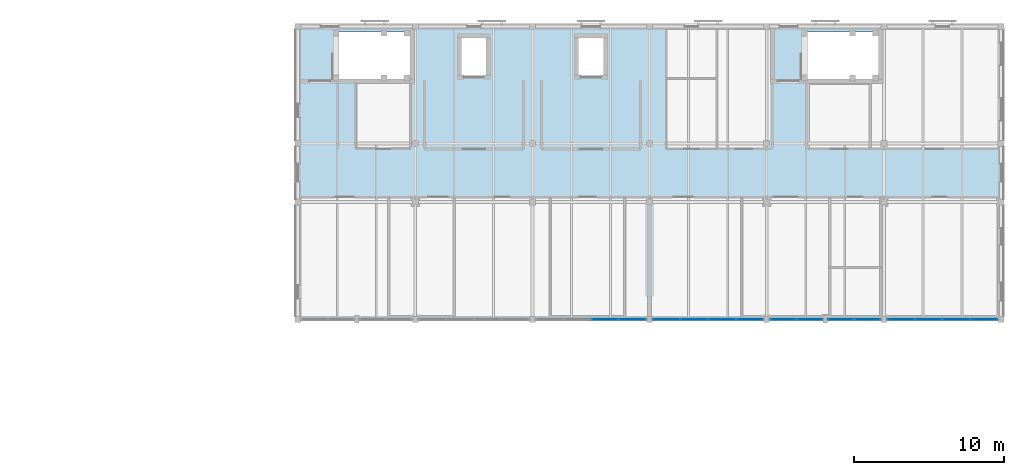
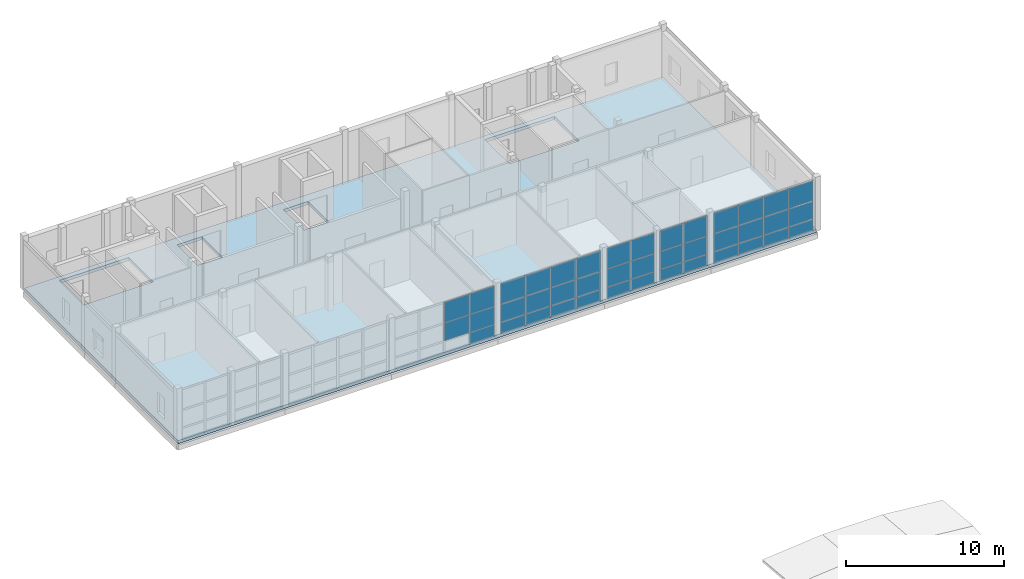
# One storey, part 10 of 21: 41 plates, 1 slab, 5 elements without a shape of their own.
"""IFC4 building model written with IfcOpenShell, lengths in metres."""

from ifc_helpers import new_model, si_unit, direction, frame, origin, origin_2d, place, context, subcontext, project, spatial, polyline, rectangle, outline, extrude, material, layer, layer_set, type_object, element, aggregate, save


model = new_model("IFC4")

# Units and contexts
model_context = context("Model", 3, precision=1e-05, world=origin(), true_north=direction((0.0, 1.0)))
body_context = subcontext(model_context, "Body", "Model", "MODEL_VIEW")
ifc_project = project(units=[si_unit("LENGTHUNIT", "METRE"), si_unit("AREAUNIT", "SQUARE_METRE"), si_unit("VOLUMEUNIT", "CUBIC_METRE"), si_unit("PLANEANGLEUNIT", "RADIAN"), si_unit("MASSUNIT", "GRAM", prefix="KILO")], contexts=[model_context])

# Site, building, storey
site_placement = place(None, origin())
site = spatial("IfcSite", under=ifc_project, at=site_placement, CompositionType="ELEMENT")
building_placement = place(site_placement, origin())
building = spatial("IfcBuilding", under=site, at=building_placement, Name="Celorna Specialist Clinic", CompositionType="ELEMENT")
storey_placement = place(building_placement, frame((0.0, 0.0, 23.10009765625)))
storey = spatial("IfcBuildingStorey", under=building, at=storey_placement, Name="L05", CompositionType="ELEMENT", Elevation=23.10009765625)

# Curtain wall, plates
ifc_material_1 = material(Name="Thermally broken aluminium and solar-control glass curtain wall", Category="aluminium")
ifc_layer_1 = layer(ifc_material_1, 0.159912109375, Name="Thermally broken aluminium and solar-control glass curtain wall")
ifc_layer_set_1 = layer_set([ifc_layer_1], Name="Thermally broken aluminium and solar-control glass curtain wall")
curtain_wall_type_1 = type_object("IfcCurtainWallType", Name="CW-80", PredefinedType="NOTDEFINED", material=ifc_layer_set_1)
curtain_wall_1_placement = place(storey_placement, origin())
curtain_wall_1 = element("IfcCurtainWall", 1, at=curtain_wall_1_placement, inside=storey, type_object=curtain_wall_type_1, Name="Curtain wall CW-80 #149", PredefinedType="NOTDEFINED")
ifc_material_2 = material(Name="Low-e double glazing", Category="glass")
ifc_layer_2 = layer(ifc_material_2, 0.028076171875, Name="Low-e double glazing")
ifc_layer_set_2 = layer_set([ifc_layer_2], Name="Low-e double glazing")
plate_type_1 = type_object("IfcPlateType", Name="CPN-01", PredefinedType="CURTAIN_PANEL", material=ifc_layer_set_2)
plate_1_placement = place(storey_placement, frame((76.859619140625, 96.5, 0.0498046875), z_axis=(0.0, 0.0, 1.0), x_axis=(-1.0, 0.0, 0.0)))
plate_1 = element("IfcPlate", 2, at=plate_1_placement, type_object=plate_type_1, Name="CW-80 panel 1.1", PredefinedType="CURTAIN_PANEL", context=body_context, shape_type="SweptSolid", body=[
    extrude(rectangle(XDim=1.77294921875, YDim=0.028076171875, at=origin_2d()), origin(), (0.0, 0.0, 1.0), 0.824951171875),
])
plate_2_placement = place(storey_placement, frame((76.859619140625, 96.5, 0.9248046875), z_axis=(0.0, 0.0, 1.0), x_axis=(-1.0, 0.0, 0.0)))
plate_2 = element("IfcPlate", 3, at=plate_2_placement, type_object=plate_type_1, Name="CW-80 panel 1.2", PredefinedType="CURTAIN_PANEL", context=body_context, shape_type="SweptSolid", body=[
    extrude(rectangle(XDim=1.77294921875, YDim=0.028076171875, at=origin_2d()), origin(), (0.0, 0.0, 1.0), 1.35009765625),
])
plate_3_placement = place(storey_placement, frame((76.859619140625, 96.5, 2.324951171875), z_axis=(0.0, 0.0, 1.0), x_axis=(-1.0, 0.0, 0.0)))
plate_3 = element("IfcPlate", 4, at=plate_3_placement, type_object=plate_type_1, Name="CW-80 panel 1.3", PredefinedType="CURTAIN_PANEL", context=body_context, shape_type="SweptSolid", body=[
    extrude(rectangle(XDim=1.77294921875, YDim=0.028076171875, at=origin_2d()), origin(), (0.0, 0.0, 1.0), 1.56494140625),
])
plate_4_placement = place(storey_placement, frame((75.02392578125, 96.5, 0.0498046875), z_axis=(0.0, 0.0, 1.0), x_axis=(-1.0, 0.0, 0.0)))
plate_4 = element("IfcPlate", 5, at=plate_4_placement, type_object=plate_type_1, Name="CW-80 panel 2.1", PredefinedType="CURTAIN_PANEL", context=body_context, shape_type="SweptSolid", body=[
    extrude(rectangle(XDim=1.798095703125, YDim=0.028076171875, at=origin_2d()), origin(), (0.0, 0.0, 1.0), 0.824951171875),
])
plate_5_placement = place(storey_placement, frame((75.02392578125, 96.5, 0.9248046875), z_axis=(0.0, 0.0, 1.0), x_axis=(-1.0, 0.0, 0.0)))
plate_5 = element("IfcPlate", 6, at=plate_5_placement, type_object=plate_type_1, Name="CW-80 panel 2.2", PredefinedType="CURTAIN_PANEL", context=body_context, shape_type="SweptSolid", body=[
    extrude(rectangle(XDim=1.798095703125, YDim=0.028076171875, at=origin_2d()), origin(), (0.0, 0.0, 1.0), 1.35009765625),
])
plate_6_placement = place(storey_placement, frame((75.02392578125, 96.5, 2.324951171875), z_axis=(0.0, 0.0, 1.0), x_axis=(-1.0, 0.0, 0.0)))
plate_6 = element("IfcPlate", 7, at=plate_6_placement, type_object=plate_type_1, Name="CW-80 panel 2.3", PredefinedType="CURTAIN_PANEL", context=body_context, shape_type="SweptSolid", body=[
    extrude(rectangle(XDim=1.798095703125, YDim=0.028076171875, at=origin_2d()), origin(), (0.0, 0.0, 1.0), 1.56494140625),
])
plate_7_placement = place(storey_placement, frame((73.176025390625, 96.5, 0.0498046875), z_axis=(0.0, 0.0, 1.0), x_axis=(-1.0, 0.0, 0.0)))
plate_7 = element("IfcPlate", 8, at=plate_7_placement, type_object=plate_type_1, Name="CW-80 panel 3.1", PredefinedType="CURTAIN_PANEL", context=body_context, shape_type="SweptSolid", body=[
    extrude(rectangle(XDim=1.798095703125, YDim=0.028076171875, at=origin_2d()), origin(), (0.0, 0.0, 1.0), 0.824951171875),
])
plate_8_placement = place(storey_placement, frame((73.176025390625, 96.5, 0.9248046875), z_axis=(0.0, 0.0, 1.0), x_axis=(-1.0, 0.0, 0.0)))
plate_8 = element("IfcPlate", 9, at=plate_8_placement, type_object=plate_type_1, Name="CW-80 panel 3.2", PredefinedType="CURTAIN_PANEL", context=body_context, shape_type="SweptSolid", body=[
    extrude(rectangle(XDim=1.798095703125, YDim=0.028076171875, at=origin_2d()), origin(), (0.0, 0.0, 1.0), 1.35009765625),
])
plate_9_placement = place(storey_placement, frame((73.176025390625, 96.5, 2.324951171875), z_axis=(0.0, 0.0, 1.0), x_axis=(-1.0, 0.0, 0.0)))
plate_9 = element("IfcPlate", 10, at=plate_9_placement, type_object=plate_type_1, Name="CW-80 panel 3.3", PredefinedType="CURTAIN_PANEL", context=body_context, shape_type="SweptSolid", body=[
    extrude(rectangle(XDim=1.798095703125, YDim=0.028076171875, at=origin_2d()), origin(), (0.0, 0.0, 1.0), 1.56494140625),
])
plate_10_placement = place(storey_placement, frame((71.340576171875, 96.5, 0.0498046875), z_axis=(0.0, 0.0, 1.0), x_axis=(-1.0, 0.0, 0.0)))
plate_10 = element("IfcPlate", 11, at=plate_10_placement, type_object=plate_type_1, Name="CW-80 panel 4.1", PredefinedType="CURTAIN_PANEL", context=body_context, shape_type="SweptSolid", body=[
    extrude(rectangle(XDim=1.77294921875, YDim=0.028076171875, at=origin_2d()), origin(), (0.0, 0.0, 1.0), 0.824951171875),
])
plate_11_placement = place(storey_placement, frame((71.340576171875, 96.5, 0.9248046875), z_axis=(0.0, 0.0, 1.0), x_axis=(-1.0, 0.0, 0.0)))
plate_11 = element("IfcPlate", 12, at=plate_11_placement, type_object=plate_type_1, Name="CW-80 panel 4.2", PredefinedType="CURTAIN_PANEL", context=body_context, shape_type="SweptSolid", body=[
    extrude(rectangle(XDim=1.77294921875, YDim=0.028076171875, at=origin_2d()), origin(), (0.0, 0.0, 1.0), 1.35009765625),
])
plate_12_placement = place(storey_placement, frame((71.340576171875, 96.5, 2.324951171875), z_axis=(0.0, 0.0, 1.0), x_axis=(-1.0, 0.0, 0.0)))
plate_12 = element("IfcPlate", 13, at=plate_12_placement, type_object=plate_type_1, Name="CW-80 panel 4.3", PredefinedType="CURTAIN_PANEL", context=body_context, shape_type="SweptSolid", body=[
    extrude(rectangle(XDim=1.77294921875, YDim=0.028076171875, at=origin_2d()), origin(), (0.0, 0.0, 1.0), 1.56494140625),
])
aggregate(curtain_wall_1, [plate_1, plate_2, plate_3, plate_4, plate_5, plate_6, plate_7, plate_8, plate_9, plate_10, plate_11, plate_12])

ifc_layer_3 = layer(ifc_material_1, 0.159912109375, Name="Thermally broken aluminium and solar-control glass curtain wall")
ifc_layer_set_3 = layer_set([ifc_layer_3], Name="Thermally broken aluminium and solar-control glass curtain wall")
curtain_wall_type_2 = type_object("IfcCurtainWallType", Name="CW-81", PredefinedType="NOTDEFINED", material=ifc_layer_set_3)
curtain_wall_2_placement = place(storey_placement, origin())
curtain_wall_2 = element("IfcCurtainWall", 14, at=curtain_wall_2_placement, inside=storey, type_object=curtain_wall_type_2, Name="Curtain wall CW-81 #150", PredefinedType="NOTDEFINED")
ifc_material_3 = material(Name="Solar-control triple glazing", Category="glass")
ifc_layer_4 = layer(ifc_material_3, 0.035888671875, Name="Solar-control triple glazing")
ifc_layer_set_4 = layer_set([ifc_layer_4], Name="Solar-control triple glazing")
plate_type_2 = type_object("IfcPlateType", Name="CPN-02", PredefinedType="CURTAIN_PANEL", material=ifc_layer_set_4)
plate_13_placement = place(storey_placement, frame((84.697998046875, 96.5, 0.0498046875), z_axis=(0.0, 0.0, 1.0), x_axis=(-1.0, 0.0, 0.0)))
plate_13 = element("IfcPlate", 15, at=plate_13_placement, type_object=plate_type_2, Name="CW-81 panel 1.1", PredefinedType="CURTAIN_PANEL", context=body_context, shape_type="SweptSolid", body=[
    extrude(rectangle(XDim=1.696044921875, YDim=0.035888671875, at=origin_2d()), origin(), (0.0, 0.0, 1.0), 0.824951171875),
])
plate_14_placement = place(storey_placement, frame((84.697998046875, 96.5, 0.9248046875), z_axis=(0.0, 0.0, 1.0), x_axis=(-1.0, 0.0, 0.0)))
plate_14 = element("IfcPlate", 16, at=plate_14_placement, type_object=plate_type_2, Name="CW-81 panel 1.2", PredefinedType="CURTAIN_PANEL", context=body_context, shape_type="SweptSolid", body=[
    extrude(rectangle(XDim=1.696044921875, YDim=0.035888671875, at=origin_2d()), origin(), (0.0, 0.0, 1.0), 1.35009765625),
])
plate_15_placement = place(storey_placement, frame((84.697998046875, 96.5, 2.324951171875), z_axis=(0.0, 0.0, 1.0), x_axis=(-1.0, 0.0, 0.0)))
plate_15 = element("IfcPlate", 17, at=plate_15_placement, type_object=plate_type_2, Name="CW-81 panel 1.3", PredefinedType="CURTAIN_PANEL", context=body_context, shape_type="SweptSolid", body=[
    extrude(rectangle(XDim=1.696044921875, YDim=0.035888671875, at=origin_2d()), origin(), (0.0, 0.0, 1.0), 1.56494140625),
])
plate_16_placement = place(storey_placement, frame((82.951904296875, 96.5, 0.0498046875), z_axis=(0.0, 0.0, 1.0), x_axis=(-1.0, 0.0, 0.0)))
plate_16 = element("IfcPlate", 18, at=plate_16_placement, type_object=plate_type_2, Name="CW-81 panel 2.1", PredefinedType="CURTAIN_PANEL", context=body_context, shape_type="SweptSolid", body=[
    extrude(rectangle(XDim=1.696044921875, YDim=0.035888671875, at=origin_2d()), origin(), (0.0, 0.0, 1.0), 0.824951171875),
])
plate_17_placement = place(storey_placement, frame((82.951904296875, 96.5, 0.9248046875), z_axis=(0.0, 0.0, 1.0), x_axis=(-1.0, 0.0, 0.0)))
plate_17 = element("IfcPlate", 19, at=plate_17_placement, type_object=plate_type_2, Name="CW-81 panel 2.2", PredefinedType="CURTAIN_PANEL", context=body_context, shape_type="SweptSolid", body=[
    extrude(rectangle(XDim=1.696044921875, YDim=0.035888671875, at=origin_2d()), origin(), (0.0, 0.0, 1.0), 1.35009765625),
])
plate_18_placement = place(storey_placement, frame((82.951904296875, 96.5, 2.324951171875), z_axis=(0.0, 0.0, 1.0), x_axis=(-1.0, 0.0, 0.0)))
plate_18 = element("IfcPlate", 20, at=plate_18_placement, type_object=plate_type_2, Name="CW-81 panel 2.3", PredefinedType="CURTAIN_PANEL", context=body_context, shape_type="SweptSolid", body=[
    extrude(rectangle(XDim=1.696044921875, YDim=0.035888671875, at=origin_2d()), origin(), (0.0, 0.0, 1.0), 1.56494140625),
])
aggregate(curtain_wall_2, [plate_13, plate_14, plate_15, plate_16, plate_17, plate_18])

curtain_wall_3_placement = place(storey_placement, origin())
curtain_wall_3 = element("IfcCurtainWall", 21, at=curtain_wall_3_placement, inside=storey, type_object=curtain_wall_type_2, Name="Curtain wall CW-81 #151", PredefinedType="NOTDEFINED")
plate_19_placement = place(storey_placement, frame((80.847900390625, 96.5, 0.0498046875), z_axis=(0.0, 0.0, 1.0), x_axis=(-1.0, 0.0, 0.0)))
plate_19 = element("IfcPlate", 22, at=plate_19_placement, type_object=plate_type_2, Name="CW-81 panel 1.1", PredefinedType="CURTAIN_PANEL", context=body_context, shape_type="SweptSolid", body=[
    extrude(rectangle(XDim=1.696044921875, YDim=0.035888671875, at=origin_2d()), origin(), (0.0, 0.0, 1.0), 0.824951171875),
])
plate_20_placement = place(storey_placement, frame((80.847900390625, 96.5, 0.9248046875), z_axis=(0.0, 0.0, 1.0), x_axis=(-1.0, 0.0, 0.0)))
plate_20 = element("IfcPlate", 23, at=plate_20_placement, type_object=plate_type_2, Name="CW-81 panel 1.2", PredefinedType="CURTAIN_PANEL", context=body_context, shape_type="SweptSolid", body=[
    extrude(rectangle(XDim=1.696044921875, YDim=0.035888671875, at=origin_2d()), origin(), (0.0, 0.0, 1.0), 1.35009765625),
])
plate_21_placement = place(storey_placement, frame((80.847900390625, 96.5, 2.324951171875), z_axis=(0.0, 0.0, 1.0), x_axis=(-1.0, 0.0, 0.0)))
plate_21 = element("IfcPlate", 24, at=plate_21_placement, type_object=plate_type_2, Name="CW-81 panel 1.3", PredefinedType="CURTAIN_PANEL", context=body_context, shape_type="SweptSolid", body=[
    extrude(rectangle(XDim=1.696044921875, YDim=0.035888671875, at=origin_2d()), origin(), (0.0, 0.0, 1.0), 1.56494140625),
])
plate_22_placement = place(storey_placement, frame((79.10205078125, 96.5, 0.0498046875), z_axis=(0.0, 0.0, 1.0), x_axis=(-1.0, 0.0, 0.0)))
plate_22 = element("IfcPlate", 25, at=plate_22_placement, type_object=plate_type_2, Name="CW-81 panel 2.1", PredefinedType="CURTAIN_PANEL", context=body_context, shape_type="SweptSolid", body=[
    extrude(rectangle(XDim=1.696044921875, YDim=0.035888671875, at=origin_2d()), origin(), (0.0, 0.0, 1.0), 0.824951171875),
])
plate_23_placement = place(storey_placement, frame((79.10205078125, 96.5, 0.9248046875), z_axis=(0.0, 0.0, 1.0), x_axis=(-1.0, 0.0, 0.0)))
plate_23 = element("IfcPlate", 26, at=plate_23_placement, type_object=plate_type_2, Name="CW-81 panel 2.2", PredefinedType="CURTAIN_PANEL", context=body_context, shape_type="SweptSolid", body=[
    extrude(rectangle(XDim=1.696044921875, YDim=0.035888671875, at=origin_2d()), origin(), (0.0, 0.0, 1.0), 1.35009765625),
])
plate_24_placement = place(storey_placement, frame((79.10205078125, 96.5, 2.324951171875), z_axis=(0.0, 0.0, 1.0), x_axis=(-1.0, 0.0, 0.0)))
plate_24 = element("IfcPlate", 27, at=plate_24_placement, type_object=plate_type_2, Name="CW-81 panel 2.3", PredefinedType="CURTAIN_PANEL", context=body_context, shape_type="SweptSolid", body=[
    extrude(rectangle(XDim=1.696044921875, YDim=0.035888671875, at=origin_2d()), origin(), (0.0, 0.0, 1.0), 1.56494140625),
])
aggregate(curtain_wall_3, [plate_19, plate_20, plate_21, plate_22, plate_23, plate_24])

ifc_layer_5 = layer(ifc_material_1, 0.159912109375, Name="Thermally broken aluminium and solar-control glass curtain wall")
ifc_layer_set_5 = layer_set([ifc_layer_5], Name="Thermally broken aluminium and solar-control glass curtain wall")
curtain_wall_type_3 = type_object("IfcCurtainWallType", Name="CW-79", PredefinedType="NOTDEFINED", material=ifc_layer_set_5)
curtain_wall_4_placement = place(storey_placement, origin())
curtain_wall_4 = element("IfcCurtainWall", 28, at=curtain_wall_4_placement, inside=storey, type_object=curtain_wall_type_3, Name="Curtain wall CW-79 #148", PredefinedType="NOTDEFINED")
ifc_material_4 = material(Name="Glazed polychrome ceramic insulated spandrel")
ifc_layer_6 = layer(ifc_material_4, 0.0439453125, Name="Glazed polychrome ceramic insulated spandrel")
ifc_layer_set_6 = layer_set([ifc_layer_6], Name="Glazed polychrome ceramic insulated spandrel")
plate_type_3 = type_object("IfcPlateType", Name="CPN-03", PredefinedType="CURTAIN_PANEL", material=ifc_layer_set_6)
plate_25_placement = place(storey_placement, frame((69.0595703125, 96.5, 0.0498046875), z_axis=(0.0, 0.0, 1.0), x_axis=(-1.0, 0.0, 0.0)))
plate_25 = element("IfcPlate", 29, at=plate_25_placement, type_object=plate_type_3, Name="CW-79 panel 1.1", PredefinedType="CURTAIN_PANEL", context=body_context, shape_type="SweptSolid", body=[
    extrude(rectangle(XDim=1.77294921875, YDim=0.0439453125, at=origin_2d()), origin(), (0.0, 0.0, 1.0), 0.824951171875),
])
plate_26_placement = place(storey_placement, frame((69.0595703125, 96.5, 0.9248046875), z_axis=(0.0, 0.0, 1.0), x_axis=(-1.0, 0.0, 0.0)))
plate_26 = element("IfcPlate", 30, at=plate_26_placement, type_object=plate_type_3, Name="CW-79 panel 1.2", PredefinedType="CURTAIN_PANEL", context=body_context, shape_type="SweptSolid", body=[
    extrude(rectangle(XDim=1.77294921875, YDim=0.0439453125, at=origin_2d()), origin(), (0.0, 0.0, 1.0), 1.35009765625),
])
plate_27_placement = place(storey_placement, frame((69.0595703125, 96.5, 2.324951171875), z_axis=(0.0, 0.0, 1.0), x_axis=(-1.0, 0.0, 0.0)))
plate_27 = element("IfcPlate", 31, at=plate_27_placement, type_object=plate_type_3, Name="CW-79 panel 1.3", PredefinedType="CURTAIN_PANEL", context=body_context, shape_type="SweptSolid", body=[
    extrude(rectangle(XDim=1.77294921875, YDim=0.0439453125, at=origin_2d()), origin(), (0.0, 0.0, 1.0), 1.56494140625),
])
plate_28_placement = place(storey_placement, frame((67.22412109375, 96.5, 0.9248046875), z_axis=(0.0, 0.0, 1.0), x_axis=(-1.0, 0.0, 0.0)))
plate_28 = element("IfcPlate", 32, at=plate_28_placement, type_object=plate_type_3, Name="CW-79 panel 2.2", PredefinedType="CURTAIN_PANEL", context=body_context, shape_type="SweptSolid", body=[
    extrude(rectangle(XDim=1.798095703125, YDim=0.0439453125, at=origin_2d()), origin(), (0.0, 0.0, 1.0), 1.35009765625),
])
plate_29_placement = place(storey_placement, frame((67.22412109375, 96.5, 2.324951171875), z_axis=(0.0, 0.0, 1.0), x_axis=(-1.0, 0.0, 0.0)))
plate_29 = element("IfcPlate", 33, at=plate_29_placement, type_object=plate_type_3, Name="CW-79 panel 2.3", PredefinedType="CURTAIN_PANEL", context=body_context, shape_type="SweptSolid", body=[
    extrude(rectangle(XDim=1.798095703125, YDim=0.0439453125, at=origin_2d()), origin(), (0.0, 0.0, 1.0), 1.56494140625),
])
aggregate(curtain_wall_4, [plate_25, plate_26, plate_27, plate_28, plate_29])

curtain_wall_5_placement = place(storey_placement, origin())
curtain_wall_5 = element("IfcCurtainWall", 34, at=curtain_wall_5_placement, inside=storey, type_object=curtain_wall_type_3, Name="Curtain wall CW-79 #152", PredefinedType="NOTDEFINED")
plate_30_placement = place(storey_placement, frame((92.45947265625, 96.5, 0.0498046875), z_axis=(0.0, 0.0, 1.0), x_axis=(-1.0, 0.0, 0.0)))
plate_30 = element("IfcPlate", 35, at=plate_30_placement, type_object=plate_type_3, Name="CW-79 panel 1.1", PredefinedType="CURTAIN_PANEL", context=body_context, shape_type="SweptSolid", body=[
    extrude(rectangle(XDim=1.77294921875, YDim=0.0439453125, at=origin_2d()), origin(), (0.0, 0.0, 1.0), 0.824951171875),
])
plate_31_placement = place(storey_placement, frame((92.45947265625, 96.5, 0.9248046875), z_axis=(0.0, 0.0, 1.0), x_axis=(-1.0, 0.0, 0.0)))
plate_31 = element("IfcPlate", 36, at=plate_31_placement, type_object=plate_type_3, Name="CW-79 panel 1.2", PredefinedType="CURTAIN_PANEL", context=body_context, shape_type="SweptSolid", body=[
    extrude(rectangle(XDim=1.77294921875, YDim=0.0439453125, at=origin_2d()), origin(), (0.0, 0.0, 1.0), 1.35009765625),
])
plate_32_placement = place(storey_placement, frame((92.45947265625, 96.5, 2.324951171875), z_axis=(0.0, 0.0, 1.0), x_axis=(-1.0, 0.0, 0.0)))
plate_32 = element("IfcPlate", 37, at=plate_32_placement, type_object=plate_type_3, Name="CW-79 panel 1.3", PredefinedType="CURTAIN_PANEL", context=body_context, shape_type="SweptSolid", body=[
    extrude(rectangle(XDim=1.77294921875, YDim=0.0439453125, at=origin_2d()), origin(), (0.0, 0.0, 1.0), 1.56494140625),
])
plate_33_placement = place(storey_placement, frame((90.6240234375, 96.5, 0.0498046875), z_axis=(0.0, 0.0, 1.0), x_axis=(-1.0, 0.0, 0.0)))
plate_33 = element("IfcPlate", 38, at=plate_33_placement, type_object=plate_type_3, Name="CW-79 panel 2.1", PredefinedType="CURTAIN_PANEL", context=body_context, shape_type="SweptSolid", body=[
    extrude(rectangle(XDim=1.798095703125, YDim=0.0439453125, at=origin_2d()), origin(), (0.0, 0.0, 1.0), 0.824951171875),
])
plate_34_placement = place(storey_placement, frame((90.6240234375, 96.5, 0.9248046875), z_axis=(0.0, 0.0, 1.0), x_axis=(-1.0, 0.0, 0.0)))
plate_34 = element("IfcPlate", 39, at=plate_34_placement, type_object=plate_type_3, Name="CW-79 panel 2.2", PredefinedType="CURTAIN_PANEL", context=body_context, shape_type="SweptSolid", body=[
    extrude(rectangle(XDim=1.798095703125, YDim=0.0439453125, at=origin_2d()), origin(), (0.0, 0.0, 1.0), 1.35009765625),
])
plate_35_placement = place(storey_placement, frame((90.6240234375, 96.5, 2.324951171875), z_axis=(0.0, 0.0, 1.0), x_axis=(-1.0, 0.0, 0.0)))
plate_35 = element("IfcPlate", 40, at=plate_35_placement, type_object=plate_type_3, Name="CW-79 panel 2.3", PredefinedType="CURTAIN_PANEL", context=body_context, shape_type="SweptSolid", body=[
    extrude(rectangle(XDim=1.798095703125, YDim=0.0439453125, at=origin_2d()), origin(), (0.0, 0.0, 1.0), 1.56494140625),
])
plate_36_placement = place(storey_placement, frame((88.77587890625, 96.5, 0.0498046875), z_axis=(0.0, 0.0, 1.0), x_axis=(-1.0, 0.0, 0.0)))
plate_36 = element("IfcPlate", 41, at=plate_36_placement, type_object=plate_type_3, Name="CW-79 panel 3.1", PredefinedType="CURTAIN_PANEL", context=body_context, shape_type="SweptSolid", body=[
    extrude(rectangle(XDim=1.798095703125, YDim=0.0439453125, at=origin_2d()), origin(), (0.0, 0.0, 1.0), 0.824951171875),
])
plate_37_placement = place(storey_placement, frame((88.77587890625, 96.5, 0.9248046875), z_axis=(0.0, 0.0, 1.0), x_axis=(-1.0, 0.0, 0.0)))
plate_37 = element("IfcPlate", 42, at=plate_37_placement, type_object=plate_type_3, Name="CW-79 panel 3.2", PredefinedType="CURTAIN_PANEL", context=body_context, shape_type="SweptSolid", body=[
    extrude(rectangle(XDim=1.798095703125, YDim=0.0439453125, at=origin_2d()), origin(), (0.0, 0.0, 1.0), 1.35009765625),
])
plate_38_placement = place(storey_placement, frame((88.77587890625, 96.5, 2.324951171875), z_axis=(0.0, 0.0, 1.0), x_axis=(-1.0, 0.0, 0.0)))
plate_38 = element("IfcPlate", 43, at=plate_38_placement, type_object=plate_type_3, Name="CW-79 panel 3.3", PredefinedType="CURTAIN_PANEL", context=body_context, shape_type="SweptSolid", body=[
    extrude(rectangle(XDim=1.798095703125, YDim=0.0439453125, at=origin_2d()), origin(), (0.0, 0.0, 1.0), 1.56494140625),
])
plate_39_placement = place(storey_placement, frame((86.9404296875, 96.5, 0.0498046875), z_axis=(0.0, 0.0, 1.0), x_axis=(-1.0, 0.0, 0.0)))
plate_39 = element("IfcPlate", 44, at=plate_39_placement, type_object=plate_type_3, Name="CW-79 panel 4.1", PredefinedType="CURTAIN_PANEL", context=body_context, shape_type="SweptSolid", body=[
    extrude(rectangle(XDim=1.77294921875, YDim=0.0439453125, at=origin_2d()), origin(), (0.0, 0.0, 1.0), 0.824951171875),
])
plate_40_placement = place(storey_placement, frame((86.9404296875, 96.5, 0.9248046875), z_axis=(0.0, 0.0, 1.0), x_axis=(-1.0, 0.0, 0.0)))
plate_40 = element("IfcPlate", 45, at=plate_40_placement, type_object=plate_type_3, Name="CW-79 panel 4.2", PredefinedType="CURTAIN_PANEL", context=body_context, shape_type="SweptSolid", body=[
    extrude(rectangle(XDim=1.77294921875, YDim=0.0439453125, at=origin_2d()), origin(), (0.0, 0.0, 1.0), 1.35009765625),
])
plate_41_placement = place(storey_placement, frame((86.9404296875, 96.5, 2.324951171875), z_axis=(0.0, 0.0, 1.0), x_axis=(-1.0, 0.0, 0.0)))
plate_41 = element("IfcPlate", 46, at=plate_41_placement, type_object=plate_type_3, Name="CW-79 panel 4.3", PredefinedType="CURTAIN_PANEL", context=body_context, shape_type="SweptSolid", body=[
    extrude(rectangle(XDim=1.77294921875, YDim=0.0439453125, at=origin_2d()), origin(), (0.0, 0.0, 1.0), 1.56494140625),
])
aggregate(curtain_wall_5, [plate_30, plate_31, plate_32, plate_33, plate_34, plate_35, plate_36, plate_37, plate_38, plate_39, plate_40, plate_41])

# Slab
ifc_material_5 = material(Name="Concrete C35/45", Category="concrete")
ifc_layer_7 = layer(ifc_material_5, 0.239990234375, Name="Concrete C35/45")
ifc_layer_set_7 = layer_set([ifc_layer_7], Name="Concrete C35/45")
slab_type = type_object("IfcSlabType", Name="SL-09", PredefinedType="FLOOR", material=ifc_layer_set_7)
slab_placement = place(storey_placement, frame((0.0, 0.0, -0.239990234375)))
element("IfcSlab", 47, at=slab_placement, inside=storey, type_object=slab_type, Name="V4 L05 structural slab SL-09", PredefinedType="FLOOR", context=body_context, shape_type="SweptSolid", body=[
    extrude(outline(polyline([(93.60009765625, 96.5), (93.60009765625, 116.0), (46.800048828125, 116.0), (46.800048828125, 96.5), (93.60009765625, 96.5)]), holes=[polyline([(49.139892578125, 112.52001953125), (54.239990234375, 112.52001953125), (54.239990234375, 115.6201171875), (49.139892578125, 115.6201171875), (49.139892578125, 112.52001953125)]), polyline([(80.340087890625, 112.52001953125), (85.43994140625, 112.52001953125), (85.43994140625, 115.6201171875), (80.340087890625, 115.6201171875), (80.340087890625, 112.52001953125)]), polyline([(57.594970703125, 112.695068359375), (59.405029296875, 112.695068359375), (59.405029296875, 115.304931640625), (57.594970703125, 115.304931640625), (57.594970703125, 112.695068359375)]), polyline([(65.39501953125, 112.695068359375), (67.205078125, 112.695068359375), (67.205078125, 115.304931640625), (65.39501953125, 115.304931640625), (65.39501953125, 112.695068359375)])]), origin(), (0.0, 0.0, 1.0), 0.239990234375),
])

save(model, "model.ifc")
